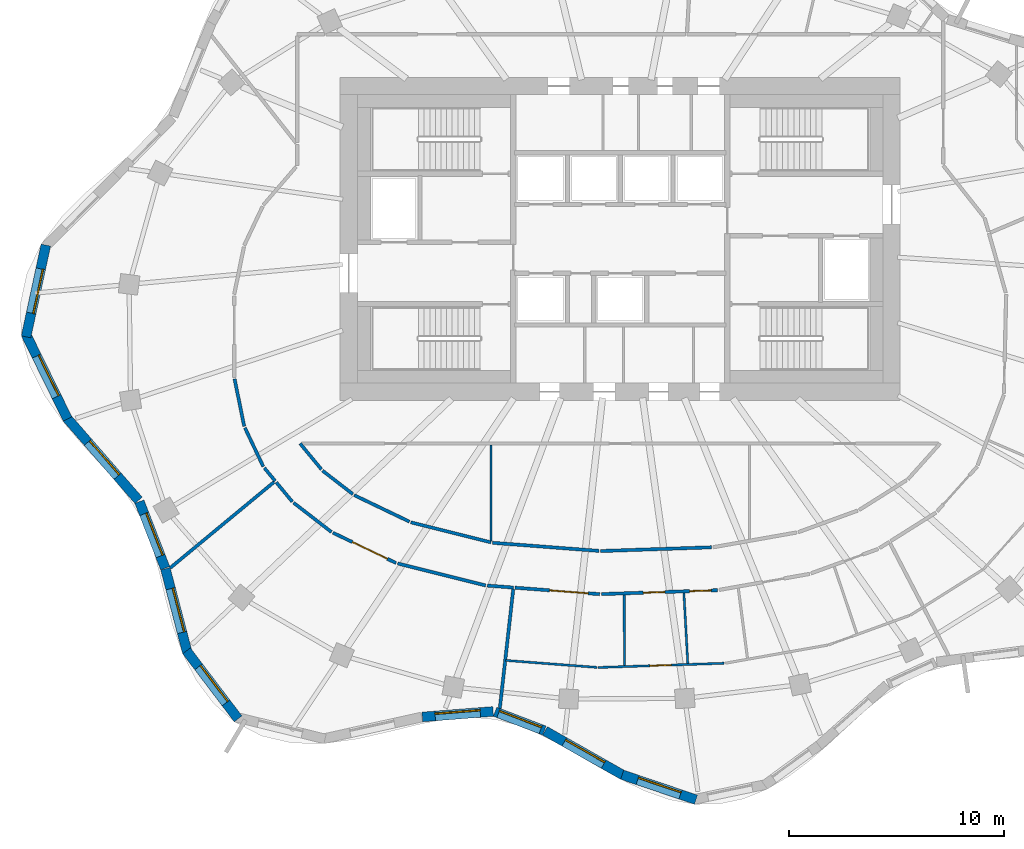
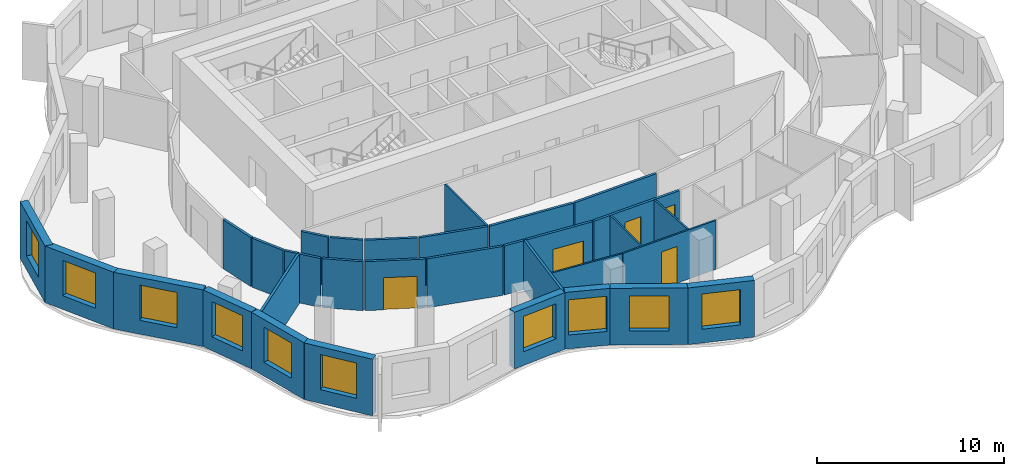
# One storey, part 3 of 9: 33 walls, 10 windows, 5 doors, 15 openings.
"""IFC4 building model written with IfcOpenShell, lengths in metres."""

from ifc_helpers import new_model, si_unit, direction, frame, frame_2d, origin, place, context, subcontext, project, spatial, rectangle, extrude, material, layer, layer_set, type_object, element, fill, save


model = new_model("IFC4")

# Units and contexts
model_context = context("Model", 3, precision=1e-05, world=origin(), true_north=direction((0.0, 1.0)))
body_context = subcontext(model_context, "Body", "Model", "MODEL_VIEW")
ifc_project = project(units=[si_unit("LENGTHUNIT", "METRE"), si_unit("AREAUNIT", "SQUARE_METRE"), si_unit("VOLUMEUNIT", "CUBIC_METRE"), si_unit("PLANEANGLEUNIT", "RADIAN"), si_unit("MASSUNIT", "GRAM", prefix="KILO")], contexts=[model_context])

# Site, building, storey
site_placement = place(None, origin())
site = spatial("IfcSite", under=ifc_project, at=site_placement, CompositionType="ELEMENT")
building_placement = place(site_placement, origin())
building = spatial("IfcBuilding", under=site, at=building_placement, Name="Rubra Terraces Tower", CompositionType="ELEMENT")
storey_placement = place(building_placement, frame((0.0, 0.0, 288.300048828125)))
storey = spatial("IfcBuildingStorey", under=building, at=storey_placement, Name="L71", CompositionType="ELEMENT", Elevation=288.300048828125)

# Wall, opening, window
ifc_material_1 = material(Name="Brick masonry red-brown", Category="masonry")
ifc_layer_1 = layer(ifc_material_1, 0.449951171875)
ifc_layer_set_1 = layer_set([ifc_layer_1], Name="Brick masonry red-brown")
wall_type_1 = type_object("IfcWallType", Name="Brick facade wall 450", PredefinedType="SOLIDWALL", material=ifc_layer_set_1)
wall_1_placement = place(storey_placement, frame((-26.668212890625, 4.21142578125, 0.0), z_axis=(0.0, 0.0, 1.0), x_axis=(-0.210910311825, -0.977505417052, 0.0)))
wall_1 = element("IfcWall", 1, at=wall_1_placement, inside=storey, type_object=wall_type_1, Name="Facade wall L71 bay 20", PredefinedType="SOLIDWALL", context=body_context, shape_type="SweptSolid", body=[
    extrude(rectangle(XDim=4.35693359375, YDim=0.449951171875, at=frame_2d((2.178466796875, 0.0))), origin(), (0.0, 0.0, 1.0), 3.699951171875),
])
opening_1_placement = place(wall_1_placement, frame((1.12841796875, 0.0, 0.89990234375)))
opening_1 = element("IfcOpeningElement", 2, at=opening_1_placement, cuts=wall_1, Name="Opening W1B", PredefinedType="OPENING", context=body_context, shape_type="SweptSolid", body=[
    extrude(rectangle(XDim=2.10009765625, YDim=2.300048828125, at=frame_2d((1.050048828125, 1.14990234375))), frame((0.0, 0.23486328125, 0.0), z_axis=(0.0, -1.0, 0.0), x_axis=(1.0, 0.0, 0.0)), (0.0, 0.0, 1.0), 0.469970703125),
])
ifc_material_2 = material(Name="Clear glass in aluminium frame", Category="aluminium")
window_type = type_object("IfcWindowType", Name="Fixed deep-set window tall storey 2100 x 2300", PartitioningType="SINGLE_PANEL", PredefinedType="WINDOW", material=ifc_material_2)
window_1_placement = place(opening_1_placement, origin())
window_1 = element("IfcWindow", 3, at=window_1_placement, inside=storey, type_object=window_type, Name="Window L71 bay 20", OverallHeight=2.300048828125, OverallWidth=2.10009765625, PartitioningType="SINGLE_PANEL", PredefinedType="WINDOW", context=body_context, shape_type="SweptSolid", body=[
    extrude(rectangle(XDim=2.10009765625, YDim=2.300048828125, at=frame_2d((1.050048828125, 1.14990234375))), frame((0.0, 0.135009765625, 0.0), z_axis=(0.0, -1.0, 0.0), x_axis=(1.0, 0.0, 0.0)), (0.0, 0.0, 1.0), 0.06005859375),
])
fill(opening_1, window_1)

wall_2_placement = place(storey_placement, frame((-27.60498046875, 0.09912109375, 0.0), z_axis=(0.0, 0.0, 1.0), x_axis=(0.440876526139, -0.897567762734, 0.0)))
wall_2 = element("IfcWall", 4, at=wall_2_placement, inside=storey, type_object=wall_type_1, Name="Facade wall L71 bay 21", PredefinedType="SOLIDWALL", context=body_context, shape_type="SweptSolid", body=[
    extrude(rectangle(XDim=4.4150390625, YDim=0.449951171875, at=frame_2d((2.20751953125, 0.0))), origin(), (0.0, 0.0, 1.0), 3.699951171875),
])
opening_2_placement = place(wall_2_placement, frame((1.15771484375, 0.0, 0.89990234375)))
opening_2 = element("IfcOpeningElement", 5, at=opening_2_placement, cuts=wall_2, Name="Opening W1B", PredefinedType="OPENING", context=body_context, shape_type="SweptSolid", body=[
    extrude(rectangle(XDim=2.10009765625, YDim=2.300048828125, at=frame_2d((1.050048828125, 1.14990234375))), frame((0.0, 0.23486328125, 0.0), z_axis=(0.0, -1.0, 0.0), x_axis=(1.0, 0.0, 0.0)), (0.0, 0.0, 1.0), 0.469970703125),
])
window_2_placement = place(opening_2_placement, origin())
window_2 = element("IfcWindow", 6, at=window_2_placement, inside=storey, type_object=window_type, Name="Window L71 bay 21", OverallHeight=2.300048828125, OverallWidth=2.10009765625, PartitioningType="SINGLE_PANEL", PredefinedType="WINDOW", context=body_context, shape_type="SweptSolid", body=[
    extrude(rectangle(XDim=2.10009765625, YDim=2.300048828125, at=frame_2d((1.050048828125, 1.14990234375))), frame((0.0, 0.135009765625, 0.0), z_axis=(0.0, -1.0, 0.0), x_axis=(1.0, 0.0, 0.0)), (0.0, 0.0, 1.0), 0.06005859375),
])
fill(opening_2, window_2)

wall_3_placement = place(storey_placement, frame((-25.690673828125, -3.815185546875, 0.0), z_axis=(0.0, 0.0, 1.0), x_axis=(0.656552883353, -0.754279995334, 0.0)))
wall_3 = element("IfcWall", 7, at=wall_3_placement, inside=storey, type_object=wall_type_1, Name="Facade wall L71 bay 22", PredefinedType="SOLIDWALL", context=body_context, shape_type="SweptSolid", body=[
    extrude(rectangle(XDim=5.0712890625, YDim=0.449951171875, at=frame_2d((2.53564453125, 0.0))), origin(), (0.0, 0.0, 1.0), 3.699951171875),
])
opening_3_placement = place(wall_3_placement, frame((1.485595703125, 0.0, 0.89990234375)))
opening_3 = element("IfcOpeningElement", 8, at=opening_3_placement, cuts=wall_3, Name="Opening W1B", PredefinedType="OPENING", context=body_context, shape_type="SweptSolid", body=[
    extrude(rectangle(XDim=2.10009765625, YDim=2.300048828125, at=frame_2d((1.050048828125, 1.14990234375))), frame((0.0, 0.23486328125, 0.0), z_axis=(0.0, -1.0, 0.0), x_axis=(1.0, 0.0, 0.0)), (0.0, 0.0, 1.0), 0.469970703125),
])
window_3_placement = place(opening_3_placement, origin())
window_3 = element("IfcWindow", 9, at=window_3_placement, inside=storey, type_object=window_type, Name="Window L71 bay 22", OverallHeight=2.300048828125, OverallWidth=2.10009765625, PartitioningType="SINGLE_PANEL", PredefinedType="WINDOW", context=body_context, shape_type="SweptSolid", body=[
    extrude(rectangle(XDim=2.10009765625, YDim=2.300048828125, at=frame_2d((1.050048828125, 1.14990234375))), frame((0.0, 0.135009765625, 0.0), z_axis=(0.0, -1.0, 0.0), x_axis=(1.0, 0.0, 0.0)), (0.0, 0.0, 1.0), 0.06005859375),
])
fill(opening_3, window_3)

wall_4_placement = place(storey_placement, frame((-22.323486328125, -7.70068359375, 0.0), z_axis=(0.0, 0.0, 1.0), x_axis=(0.361550075906, -0.932352692178, 0.0)))
wall_4 = element("IfcWall", 10, at=wall_4_placement, inside=storey, type_object=wall_type_1, Name="Facade wall L71 bay 23", PredefinedType="SOLIDWALL", context=body_context, shape_type="SweptSolid", body=[
    extrude(rectangle(XDim=3.3134765625, YDim=0.449951171875, at=frame_2d((1.65673828125, 0.0))), origin(), (0.0, 0.0, 1.0), 3.699951171875),
])
opening_4_placement = place(wall_4_placement, frame((0.606689453125, 0.0, 0.89990234375)))
opening_4 = element("IfcOpeningElement", 11, at=opening_4_placement, cuts=wall_4, Name="Opening W1B", PredefinedType="OPENING", context=body_context, shape_type="SweptSolid", body=[
    extrude(rectangle(XDim=2.10009765625, YDim=2.300048828125, at=frame_2d((1.050048828125, 1.14990234375))), frame((0.0, 0.23486328125, 0.0), z_axis=(0.0, -1.0, 0.0), x_axis=(1.0, 0.0, 0.0)), (0.0, 0.0, 1.0), 0.469970703125),
])
window_4_placement = place(opening_4_placement, origin())
window_4 = element("IfcWindow", 12, at=window_4_placement, inside=storey, type_object=window_type, Name="Window L71 bay 23", OverallHeight=2.300048828125, OverallWidth=2.10009765625, PartitioningType="SINGLE_PANEL", PredefinedType="WINDOW", context=body_context, shape_type="SweptSolid", body=[
    extrude(rectangle(XDim=2.10009765625, YDim=2.300048828125, at=frame_2d((1.050048828125, 1.14990234375))), frame((0.0, 0.135009765625, 0.0), z_axis=(0.0, -1.0, 0.0), x_axis=(1.0, 0.0, 0.0)), (0.0, 0.0, 1.0), 0.06005859375),
])
fill(opening_4, window_4)

wall_5_placement = place(storey_placement, frame((-21.11669921875, -10.8154296875, 0.0), z_axis=(0.0, 0.0, 1.0), x_axis=(0.253065392985, -0.967449175344, 0.0)))
wall_5 = element("IfcWall", 13, at=wall_5_placement, inside=storey, type_object=wall_type_1, Name="Facade wall L71 bay 24", PredefinedType="SOLIDWALL", context=body_context, shape_type="SweptSolid", body=[
    extrude(rectangle(XDim=4.01513671875, YDim=0.449951171875, at=frame_2d((2.007568359375, 0.0))), origin(), (0.0, 0.0, 1.0), 3.699951171875),
])
opening_5_placement = place(wall_5_placement, frame((0.95751953125, 0.0, 0.89990234375)))
opening_5 = element("IfcOpeningElement", 14, at=opening_5_placement, cuts=wall_5, Name="Opening W1B", PredefinedType="OPENING", context=body_context, shape_type="SweptSolid", body=[
    extrude(rectangle(XDim=2.10009765625, YDim=2.300048828125, at=frame_2d((1.050048828125, 1.14990234375))), frame((0.0, 0.23486328125, 0.0), z_axis=(0.0, -1.0, 0.0), x_axis=(1.0, 0.0, 0.0)), (0.0, 0.0, 1.0), 0.469970703125),
])
window_5_placement = place(opening_5_placement, origin())
window_5 = element("IfcWindow", 15, at=window_5_placement, inside=storey, type_object=window_type, Name="Window L71 bay 24", OverallHeight=2.300048828125, OverallWidth=2.10009765625, PartitioningType="SINGLE_PANEL", PredefinedType="WINDOW", context=body_context, shape_type="SweptSolid", body=[
    extrude(rectangle(XDim=2.10009765625, YDim=2.300048828125, at=frame_2d((1.050048828125, 1.14990234375))), frame((0.0, 0.135009765625, 0.0), z_axis=(0.0, -1.0, 0.0), x_axis=(1.0, 0.0, 0.0)), (0.0, 0.0, 1.0), 0.06005859375),
])
fill(opening_5, window_5)

wall_6_placement = place(storey_placement, frame((-20.1376953125, -14.6259765625, 0.0), z_axis=(0.0, 0.0, 1.0), x_axis=(0.604591324894, -0.796535830872, 0.0)))
wall_6 = element("IfcWall", 16, at=wall_6_placement, inside=storey, type_object=wall_type_1, Name="Facade wall L71 bay 25", PredefinedType="SOLIDWALL", context=body_context, shape_type="SweptSolid", body=[
    extrude(rectangle(XDim=3.964599609375, YDim=0.449951171875, at=frame_2d((1.982421875, 0.0))), origin(), (0.0, 0.0, 1.0), 3.699951171875),
])
opening_6_placement = place(wall_6_placement, frame((0.932373046875, 0.0, 0.89990234375)))
opening_6 = element("IfcOpeningElement", 17, at=opening_6_placement, cuts=wall_6, Name="Opening W1B", PredefinedType="OPENING", context=body_context, shape_type="SweptSolid", body=[
    extrude(rectangle(XDim=2.10009765625, YDim=2.300048828125, at=frame_2d((1.050048828125, 1.14990234375))), frame((0.0, 0.23486328125, 0.0), z_axis=(0.0, -1.0, 0.0), x_axis=(1.0, 0.0, 0.0)), (0.0, 0.0, 1.0), 0.469970703125),
])
window_6_placement = place(opening_6_placement, origin())
window_6 = element("IfcWindow", 18, at=window_6_placement, inside=storey, type_object=window_type, Name="Window L71 bay 25", OverallHeight=2.300048828125, OverallWidth=2.10009765625, PartitioningType="SINGLE_PANEL", PredefinedType="WINDOW", context=body_context, shape_type="SweptSolid", body=[
    extrude(rectangle(XDim=2.10009765625, YDim=2.300048828125, at=frame_2d((1.050048828125, 1.14990234375))), frame((0.0, 0.135009765625, 0.0), z_axis=(0.0, -1.0, 0.0), x_axis=(1.0, 0.0, 0.0)), (0.0, 0.0, 1.0), 0.06005859375),
])
fill(opening_6, window_6)

wall_7_placement = place(storey_placement, frame((-9.188232421875, -17.69677734375, 0.0), z_axis=(0.0, 0.0, 1.0), x_axis=(0.996964028691, 0.077863505548, 0.0)))
wall_7 = element("IfcWall", 19, at=wall_7_placement, inside=storey, type_object=wall_type_1, Name="Facade wall L71 bay 28", PredefinedType="SOLIDWALL", context=body_context, shape_type="SweptSolid", body=[
    extrude(rectangle(XDim=3.29541015625, YDim=0.449951171875, at=frame_2d((1.647705078125, 0.0))), origin(), (0.0, 0.0, 1.0), 3.699951171875),
])
opening_7_placement = place(wall_7_placement, frame((0.59765625, 0.0, 0.89990234375)))
opening_7 = element("IfcOpeningElement", 20, at=opening_7_placement, cuts=wall_7, Name="Opening W1B", PredefinedType="OPENING", context=body_context, shape_type="SweptSolid", body=[
    extrude(rectangle(XDim=2.10009765625, YDim=2.300048828125, at=frame_2d((1.050048828125, 1.14990234375))), frame((0.0, 0.23486328125, 0.0), z_axis=(0.0, -1.0, 0.0), x_axis=(1.0, 0.0, 0.0)), (0.0, 0.0, 1.0), 0.469970703125),
])
window_7_placement = place(opening_7_placement, origin())
window_7 = element("IfcWindow", 21, at=window_7_placement, inside=storey, type_object=window_type, Name="Window L71 bay 28", OverallHeight=2.300048828125, OverallWidth=2.10009765625, PartitioningType="SINGLE_PANEL", PredefinedType="WINDOW", context=body_context, shape_type="SweptSolid", body=[
    extrude(rectangle(XDim=2.10009765625, YDim=2.300048828125, at=frame_2d((1.050048828125, 1.14990234375))), frame((0.0, 0.135009765625, 0.0), z_axis=(0.0, -1.0, 0.0), x_axis=(1.0, 0.0, 0.0)), (0.0, 0.0, 1.0), 0.06005859375),
])
fill(opening_7, window_7)

wall_8_placement = place(storey_placement, frame((-5.810546875, -17.45458984375, 0.0), z_axis=(0.0, 0.0, 1.0), x_axis=(0.934122271306, -0.35695319336, 0.0)))
wall_8 = element("IfcWall", 22, at=wall_8_placement, inside=storey, type_object=wall_type_1, Name="Facade wall L71 bay 29", PredefinedType="SOLIDWALL", context=body_context, shape_type="SweptSolid", body=[
    extrude(rectangle(XDim=2.447998046875, YDim=0.449951171875, at=frame_2d((1.22412109375, 0.0))), origin(), (0.0, 0.0, 1.0), 3.699951171875),
])
opening_8_placement = place(wall_8_placement, frame((0.174072265625, 0.0, 0.89990234375)))
opening_8 = element("IfcOpeningElement", 23, at=opening_8_placement, cuts=wall_8, Name="Opening W1B", PredefinedType="OPENING", context=body_context, shape_type="SweptSolid", body=[
    extrude(rectangle(XDim=2.10009765625, YDim=2.300048828125, at=frame_2d((1.050048828125, 1.14990234375))), frame((0.0, 0.23486328125, 0.0), z_axis=(0.0, -1.0, 0.0), x_axis=(1.0, 0.0, 0.0)), (0.0, 0.0, 1.0), 0.469970703125),
])
window_8_placement = place(opening_8_placement, origin())
window_8 = element("IfcWindow", 24, at=window_8_placement, inside=storey, type_object=window_type, Name="Window L71 bay 29", OverallHeight=2.300048828125, OverallWidth=2.10009765625, PartitioningType="SINGLE_PANEL", PredefinedType="WINDOW", context=body_context, shape_type="SweptSolid", body=[
    extrude(rectangle(XDim=2.10009765625, YDim=2.300048828125, at=frame_2d((1.050048828125, 1.14990234375))), frame((0.0, 0.135009765625, 0.0), z_axis=(0.0, -1.0, 0.0), x_axis=(1.0, 0.0, 0.0)), (0.0, 0.0, 1.0), 0.06005859375),
])
fill(opening_8, window_8)

wall_9_placement = place(storey_placement, frame((-3.4931640625, -18.3427734375, 0.0), z_axis=(0.0, 0.0, 1.0), x_axis=(0.869825988853, -0.493358641473, 0.0)))
wall_9 = element("IfcWall", 25, at=wall_9_placement, inside=storey, type_object=wall_type_1, Name="Facade wall L71 bay 30", PredefinedType="SOLIDWALL", context=body_context, shape_type="SweptSolid", body=[
    extrude(rectangle(XDim=4.164794921875, YDim=0.449951171875, at=frame_2d((2.08251953125, 0.0))), origin(), (0.0, 0.0, 1.0), 3.699951171875),
])
opening_9_placement = place(wall_9_placement, frame((1.032470703125, 0.0, 0.89990234375)))
opening_9 = element("IfcOpeningElement", 26, at=opening_9_placement, cuts=wall_9, Name="Opening W1B", PredefinedType="OPENING", context=body_context, shape_type="SweptSolid", body=[
    extrude(rectangle(XDim=2.10009765625, YDim=2.300048828125, at=frame_2d((1.050048828125, 1.14990234375))), frame((0.0, 0.23486328125, 0.0), z_axis=(0.0, -1.0, 0.0), x_axis=(1.0, 0.0, 0.0)), (0.0, 0.0, 1.0), 0.469970703125),
])
window_9_placement = place(opening_9_placement, origin())
window_9 = element("IfcWindow", 27, at=window_9_placement, inside=storey, type_object=window_type, Name="Window L71 bay 30", OverallHeight=2.300048828125, OverallWidth=2.10009765625, PartitioningType="SINGLE_PANEL", PredefinedType="WINDOW", context=body_context, shape_type="SweptSolid", body=[
    extrude(rectangle(XDim=2.10009765625, YDim=2.300048828125, at=frame_2d((1.050048828125, 1.14990234375))), frame((0.0, 0.135009765625, 0.0), z_axis=(0.0, -1.0, 0.0), x_axis=(1.0, 0.0, 0.0)), (0.0, 0.0, 1.0), 0.06005859375),
])
fill(opening_9, window_9)

wall_10_placement = place(storey_placement, frame((0.090576171875, -20.380126953125, 0.0), z_axis=(0.0, 0.0, 1.0), x_axis=(0.947304227221, -0.320335294791, 0.0)))
wall_10 = element("IfcWall", 28, at=wall_10_placement, inside=storey, type_object=wall_type_1, Name="Facade wall L71 bay 31", PredefinedType="SOLIDWALL", context=body_context, shape_type="SweptSolid", body=[
    extrude(rectangle(XDim=3.6171875, YDim=0.449951171875, at=frame_2d((1.80859375, 0.0))), origin(), (0.0, 0.0, 1.0), 3.699951171875),
])
opening_10_placement = place(wall_10_placement, frame((0.758544921875, 0.0, 0.89990234375)))
opening_10 = element("IfcOpeningElement", 29, at=opening_10_placement, cuts=wall_10, Name="Opening W1B", PredefinedType="OPENING", context=body_context, shape_type="SweptSolid", body=[
    extrude(rectangle(XDim=2.10009765625, YDim=2.300048828125, at=frame_2d((1.050048828125, 1.14990234375))), frame((0.0, 0.23486328125, 0.0), z_axis=(0.0, -1.0, 0.0), x_axis=(1.0, 0.0, 0.0)), (0.0, 0.0, 1.0), 0.469970703125),
])
window_10_placement = place(opening_10_placement, origin())
window_10 = element("IfcWindow", 30, at=window_10_placement, inside=storey, type_object=window_type, Name="Window L71 bay 31", OverallHeight=2.300048828125, OverallWidth=2.10009765625, PartitioningType="SINGLE_PANEL", PredefinedType="WINDOW", context=body_context, shape_type="SweptSolid", body=[
    extrude(rectangle(XDim=2.10009765625, YDim=2.300048828125, at=frame_2d((1.050048828125, 1.14990234375))), frame((0.0, 0.135009765625, 0.0), z_axis=(0.0, -1.0, 0.0), x_axis=(1.0, 0.0, 0.0)), (0.0, 0.0, 1.0), 0.06005859375),
])
fill(opening_10, window_10)

# Walls
ifc_material_3 = material(Name="Plasterboard on steel stud, mineral wool infill", Category="steel")
ifc_layer_2 = layer(ifc_material_3, 0.14990234375)
ifc_layer_set_2 = layer_set([ifc_layer_2], Name="Plasterboard on steel stud, mineral wool infill")
wall_type_2 = type_object("IfcWallType", Name="CORRIDOR PARTITION 150", PredefinedType="PARTITIONING", material=ifc_layer_set_2)
wall_11_placement = place(storey_placement, frame((-17.905517578125, -2.0009765625, 0.0), z_axis=(0.0, 0.0, 1.0), x_axis=(0.199502025364, -0.979897413955, 0.0)))
element("IfcWall", 31, at=wall_11_placement, inside=storey, type_object=wall_type_2, Name="PARTITION", PredefinedType="PARTITIONING", context=body_context, shape_type="SweptSolid", body=[
    extrude(rectangle(XDim=2.24560546875, YDim=0.14990234375, at=frame_2d((1.122802734375, 0.0))), origin(), (0.0, 0.0, 1.0), 3.197998046875),
])
wall_12_placement = place(storey_placement, frame((-17.42529296875, -4.269287109375, 0.0), z_axis=(0.0, 0.0, 1.0), x_axis=(0.427886578366, -0.90383243804, 0.0)))
element("IfcWall", 32, at=wall_12_placement, inside=storey, type_object=wall_type_2, Name="PARTITION", PredefinedType="PARTITIONING", context=body_context, shape_type="SweptSolid", body=[
    extrude(rectangle(XDim=1.996337890625, YDim=0.14990234375, at=frame_2d((0.998046875, 0.0))), origin(), (0.0, 0.0, 1.0), 3.197998046875),
])
wall_13_placement = place(storey_placement, frame((-16.523193359375, -6.131591796875, 0.0), z_axis=(0.0, 0.0, 1.0), x_axis=(0.636698606768, -0.771112757085, 0.0)))
element("IfcWall", 33, at=wall_13_placement, inside=storey, type_object=wall_type_2, Name="PARTITION", PredefinedType="PARTITIONING", context=body_context, shape_type="SweptSolid", body=[
    extrude(rectangle(XDim=0.793701171875, YDim=0.14990234375, at=frame_2d((0.39697265625, 0.0))), origin(), (0.0, 0.0, 1.0), 3.197998046875),
])
wall_14_placement = place(storey_placement, frame((-15.97021484375, -6.801513671875, 0.0), z_axis=(0.0, 0.0, 1.0), x_axis=(0.636897609689, -0.770948399552, 0.0)))
element("IfcWall", 34, at=wall_14_placement, inside=storey, type_object=wall_type_2, Name="PARTITION", PredefinedType="PARTITIONING", context=body_context, shape_type="SweptSolid", body=[
    extrude(rectangle(XDim=1.171142578125, YDim=0.14990234375, at=frame_2d((0.58544921875, 0.0))), origin(), (0.0, 0.0, 1.0), 3.197998046875),
])
wall_15_placement = place(storey_placement, frame((-15.1650390625, -7.750244140625, 0.0), z_axis=(0.0, 0.0, 1.0), x_axis=(0.790917548929, -0.611922732701, 0.0)))
element("IfcWall", 35, at=wall_15_placement, inside=storey, type_object=wall_type_2, Name="PARTITION", PredefinedType="PARTITIONING", context=body_context, shape_type="SweptSolid", body=[
    extrude(rectangle(XDim=2.221923828125, YDim=0.14990234375, at=frame_2d((1.11083984375, 0.0))), origin(), (0.0, 0.0, 1.0), 3.197998046875),
])

# Wall, opening, door
wall_16_placement = place(storey_placement, frame((-13.340087890625, -9.142333984375, 0.0), z_axis=(0.0, 0.0, 1.0), x_axis=(0.901599124721, -0.432572558425, 0.0)))
wall_16 = element("IfcWall", 36, at=wall_16_placement, inside=storey, type_object=wall_type_2, Name="PARTITION", PredefinedType="PARTITIONING", context=body_context, shape_type="SweptSolid", body=[
    extrude(rectangle(XDim=3.2548828125, YDim=0.14990234375, at=frame_2d((1.62744140625, 0.0))), origin(), (0.0, 0.0, 1.0), 3.197998046875),
])
opening_11_placement = place(wall_16_placement, frame((1.0, 0.0, 0.0)))
opening_11 = element("IfcOpeningElement", 37, at=opening_11_placement, cuts=wall_16, Name="Opening 71-102", PredefinedType="OPENING", context=body_context, shape_type="SweptSolid", body=[
    extrude(rectangle(XDim=1.800048828125, YDim=2.10009765625, at=frame_2d((0.89990234375, 1.050048828125))), frame((0.0, 0.0849609375, 0.0), z_axis=(0.0, -1.0, 0.0), x_axis=(1.0, 0.0, 0.0)), (0.0, 0.0, 1.0), 0.169921875),
])
ifc_material_4 = material(Name="Painted timber door leaf, double", Category="wood")
door_type_1 = type_object("IfcDoorType", Name="ROOM DOUBLE DOOR 1800 X 2100", OperationType="DOUBLE_DOOR_SINGLE_SWING", PredefinedType="DOOR", material=ifc_material_4)
door_1_placement = place(opening_11_placement, origin())
door_1 = element("IfcDoor", 38, at=door_1_placement, inside=storey, type_object=door_type_1, Name="DOOR 71-102", OperationType="DOUBLE_DOOR_SINGLE_SWING", OverallHeight=2.10009765625, OverallWidth=1.800048828125, PredefinedType="DOOR", context=body_context, shape_type="SweptSolid", body=[
    extrude(rectangle(XDim=1.800048828125, YDim=2.10009765625, at=frame_2d((0.89990234375, 1.050048828125))), frame((0.0, 0.02490234375, 0.0), z_axis=(0.0, -1.0, 0.0), x_axis=(1.0, 0.0, 0.0)), (0.0, 0.0, 1.0), 0.050048828125),
])
fill(opening_11, door_1)

# Walls
wall_17_placement = place(storey_placement, frame((-10.332763671875, -10.568603515625, 0.0), z_axis=(0.0, 0.0, 1.0), x_axis=(0.970067398009, -0.242835836151, 0.0)))
element("IfcWall", 39, at=wall_17_placement, inside=storey, type_object=wall_type_2, Name="PARTITION", PredefinedType="PARTITIONING", context=body_context, shape_type="SweptSolid", body=[
    extrude(rectangle(XDim=4.20947265625, YDim=0.14990234375, at=frame_2d((2.104736328125, 0.0))), origin(), (0.0, 0.0, 1.0), 3.197998046875),
])
wall_18_placement = place(storey_placement, frame((-6.174560546875, -11.596435546875, 0.0), z_axis=(0.0, 0.0, 1.0), x_axis=(0.997106038867, -0.076023333621, 0.0)))
element("IfcWall", 40, at=wall_18_placement, inside=storey, type_object=wall_type_2, Name="PARTITION", PredefinedType="PARTITIONING", context=body_context, shape_type="SweptSolid", body=[
    extrude(rectangle(XDim=1.22021484375, YDim=0.14990234375, at=frame_2d((0.610107421875, 0.0))), origin(), (0.0, 0.0, 1.0), 3.197998046875),
])

# Wall, opening, door
wall_19_placement = place(storey_placement, frame((-4.8828125, -11.695068359375, 0.0), z_axis=(0.0, 0.0, 1.0), x_axis=(0.997096936577, -0.076142623207, 0.0)))
wall_19 = element("IfcWall", 41, at=wall_19_placement, inside=storey, type_object=wall_type_2, Name="PARTITION", PredefinedType="PARTITIONING", context=body_context, shape_type="SweptSolid", body=[
    extrude(rectangle(XDim=3.94384765625, YDim=0.14990234375, at=frame_2d((1.971923828125, 0.0))), origin(), (0.0, 0.0, 1.0), 3.197998046875),
])
opening_12_placement = place(wall_19_placement, frame((1.60400390625, 0.0, 0.0)))
opening_12 = element("IfcOpeningElement", 42, at=opening_12_placement, cuts=wall_19, Name="Opening 71-103", PredefinedType="OPENING", context=body_context, shape_type="SweptSolid", body=[
    extrude(rectangle(XDim=1.800048828125, YDim=2.10009765625, at=frame_2d((0.89990234375, 1.050048828125))), frame((0.0, 0.0849609375, 0.0), z_axis=(0.0, -1.0, 0.0), x_axis=(1.0, 0.0, 0.0)), (0.0, 0.0, 1.0), 0.169921875),
])
door_2_placement = place(opening_12_placement, origin())
door_2 = element("IfcDoor", 43, at=door_2_placement, inside=storey, type_object=door_type_1, Name="DOOR 71-103", OperationType="DOUBLE_DOOR_SINGLE_SWING", OverallHeight=2.10009765625, OverallWidth=1.800048828125, PredefinedType="DOOR", context=body_context, shape_type="SweptSolid", body=[
    extrude(rectangle(XDim=1.800048828125, YDim=2.10009765625, at=frame_2d((0.89990234375, 1.050048828125))), frame((0.0, 0.02490234375, 0.0), z_axis=(0.0, -1.0, 0.0), x_axis=(1.0, 0.0, 0.0)), (0.0, 0.0, 1.0), 0.050048828125),
])
fill(opening_12, door_2)

# Wall, openings, doors
wall_20_placement = place(storey_placement, frame((-0.87548828125, -11.992919921875, 0.0), z_axis=(0.0, 0.0, 1.0), x_axis=(0.999436745295, 0.033558786542, 0.0)))
wall_20 = element("IfcWall", 44, at=wall_20_placement, inside=storey, type_object=wall_type_2, Name="PARTITION", PredefinedType="PARTITIONING", context=body_context, shape_type="SweptSolid", body=[
    extrude(rectangle(XDim=5.39794921875, YDim=0.14990234375, at=frame_2d((2.698974609375, 0.0))), origin(), (0.0, 0.0, 1.0), 3.197998046875),
])
opening_13_placement = place(wall_20_placement, frame((1.947021484375, 0.0, 0.0)))
opening_13 = element("IfcOpeningElement", 45, at=opening_13_placement, cuts=wall_20, Name="Opening 71-104", PredefinedType="OPENING", context=body_context, shape_type="SweptSolid", body=[
    extrude(rectangle(XDim=1.0, YDim=2.39990234375, at=frame_2d((0.5, 1.199951171875))), frame((0.0, 0.0849609375, 0.0), z_axis=(0.0, -1.0, 0.0), x_axis=(1.0, 0.0, 0.0)), (0.0, 0.0, 1.0), 0.169921875),
])
opening_14_placement = place(wall_20_placement, frame((4.097900390625, 0.0, 0.0)))
opening_14 = element("IfcOpeningElement", 46, at=opening_14_placement, cuts=wall_20, Name="Opening 71-105", PredefinedType="OPENING", context=body_context, shape_type="SweptSolid", body=[
    extrude(rectangle(XDim=1.0, YDim=2.39990234375, at=frame_2d((0.5, 1.199951171875))), frame((0.0, 0.0849609375, 0.0), z_axis=(0.0, -1.0, 0.0), x_axis=(1.0, 0.0, 0.0)), (0.0, 0.0, 1.0), 0.169921875),
])
ifc_material_5 = material(Name="Glazed aluminium meeting door leaf", Category="aluminium")
door_type_2 = type_object("IfcDoorType", Name="MEETING ROOM GLAZED DOOR 1000 X 2400", OperationType="SINGLE_SWING_LEFT", PredefinedType="DOOR", material=ifc_material_5)
door_3_placement = place(opening_13_placement, origin())
door_3 = element("IfcDoor", 47, at=door_3_placement, inside=storey, type_object=door_type_2, Name="DOOR 71-104", OperationType="SINGLE_SWING_RIGHT", OverallHeight=2.39990234375, OverallWidth=1.0, PredefinedType="DOOR", context=body_context, shape_type="SweptSolid", body=[
    extrude(rectangle(XDim=1.0, YDim=2.39990234375, at=frame_2d((0.5, 1.199951171875))), frame((0.0, 0.02490234375, 0.0), z_axis=(0.0, -1.0, 0.0), x_axis=(1.0, 0.0, 0.0)), (0.0, 0.0, 1.0), 0.050048828125),
])
fill(opening_13, door_3)
door_4_placement = place(opening_14_placement, origin())
door_4 = element("IfcDoor", 48, at=door_4_placement, inside=storey, type_object=door_type_2, Name="DOOR 71-105", OperationType="SINGLE_SWING_RIGHT", OverallHeight=2.39990234375, OverallWidth=1.0, PredefinedType="DOOR", context=body_context, shape_type="SweptSolid", body=[
    extrude(rectangle(XDim=1.0, YDim=2.39990234375, at=frame_2d((0.5, 1.199951171875))), frame((0.0, 0.02490234375, 0.0), z_axis=(0.0, -1.0, 0.0), x_axis=(1.0, 0.0, 0.0)), (0.0, 0.0, 1.0), 0.050048828125),
])
fill(opening_14, door_4)

# Walls
wall_21_placement = place(storey_placement, frame((4.235595703125, -9.820068359375, 0.0), z_axis=(0.0, 0.0, 1.0), x_axis=(-0.999435760561, -0.033588100749, 0.0)))
element("IfcWall", 49, at=wall_21_placement, inside=storey, type_object=wall_type_2, Name="PARTITION", PredefinedType="PARTITIONING", context=body_context, shape_type="SweptSolid", body=[
    extrude(rectangle(XDim=5.146240234375, YDim=0.14990234375, at=frame_2d((2.5732421875, 0.0))), origin(), (0.0, 0.0, 1.0), 3.197998046875),
])
wall_22_placement = place(storey_placement, frame((-0.982421875, -9.987060546875, 0.0), z_axis=(0.0, 0.0, 1.0), x_axis=(-0.997096607341, 0.07614693447, 0.0)))
element("IfcWall", 50, at=wall_22_placement, inside=storey, type_object=wall_type_2, Name="PARTITION", PredefinedType="PARTITIONING", context=body_context, shape_type="SweptSolid", body=[
    extrude(rectangle(XDim=4.9599609375, YDim=0.14990234375, at=frame_2d((2.47998046875, 0.0))), origin(), (0.0, 0.0, 1.0), 3.197998046875),
])
wall_23_placement = place(storey_placement, frame((-6.000732421875, -9.59130859375, 0.0), z_axis=(0.0, 0.0, 1.0), x_axis=(-0.970063855769, 0.242849986061, 0.0)))
element("IfcWall", 51, at=wall_23_placement, inside=storey, type_object=wall_type_2, Name="PARTITION", PredefinedType="PARTITIONING", context=body_context, shape_type="SweptSolid", body=[
    extrude(rectangle(XDim=3.83740234375, YDim=0.14990234375, at=frame_2d((1.918701171875, 0.0))), origin(), (0.0, 0.0, 1.0), 3.197998046875),
])
wall_24_placement = place(storey_placement, frame((-9.790771484375, -8.626953125, 0.0), z_axis=(0.0, 0.0, 1.0), x_axis=(-0.901598165215, 0.432574558292, 0.0)))
element("IfcWall", 52, at=wall_24_placement, inside=storey, type_object=wall_type_2, Name="PARTITION", PredefinedType="PARTITIONING", context=body_context, shape_type="SweptSolid", body=[
    extrude(rectangle(XDim=2.840087890625, YDim=0.14990234375, at=frame_2d((1.419921875, 0.0))), origin(), (0.0, 0.0, 1.0), 3.197998046875),
])
wall_25_placement = place(storey_placement, frame((-12.41064453125, -7.3525390625, 0.0), z_axis=(0.0, 0.0, 1.0), x_axis=(-0.790894311556, 0.611952766109, 0.0)))
element("IfcWall", 53, at=wall_25_placement, inside=storey, type_object=wall_type_2, Name="PARTITION", PredefinedType="PARTITIONING", context=body_context, shape_type="SweptSolid", body=[
    extrude(rectangle(XDim=1.787353515625, YDim=0.14990234375, at=frame_2d((0.8935546875, 0.0))), origin(), (0.0, 0.0, 1.0), 3.197998046875),
])
wall_26_placement = place(storey_placement, frame((-13.8720703125, -6.200927734375, 0.0), z_axis=(0.0, 0.0, 1.0), x_axis=(-0.636832838855, 0.771001903601, 0.0)))
element("IfcWall", 54, at=wall_26_placement, inside=storey, type_object=wall_type_2, Name="PARTITION", PredefinedType="PARTITIONING", context=body_context, shape_type="SweptSolid", body=[
    extrude(rectangle(XDim=1.5576171875, YDim=0.14990234375, at=frame_2d((0.77880859375, 0.0))), origin(), (0.0, 0.0, 1.0), 3.197998046875),
])

# Wall, opening, door
ifc_material_6 = material(Name="Plasterboard on steel stud", Category="steel")
ifc_layer_3 = layer(ifc_material_6, 0.10009765625)
ifc_layer_set_3 = layer_set([ifc_layer_3], Name="Plasterboard on steel stud")
wall_type_3 = type_object("IfcWallType", Name="ROOM PARTITION 100", PredefinedType="PARTITIONING", material=ifc_layer_set_3)
wall_27_placement = place(storey_placement, frame((4.82470703125, -15.203369140625, 0.0), z_axis=(0.0, 0.0, 1.0), x_axis=(-0.999435699456, -0.033589918924, 0.0)))
wall_27 = element("IfcWall", 55, at=wall_27_placement, inside=storey, type_object=wall_type_3, Name="PARTITION", PredefinedType="PARTITIONING", context=body_context, shape_type="SweptSolid", body=[
    extrude(rectangle(XDim=5.85107421875, YDim=0.10009765625, at=frame_2d((2.925537109375, 0.0))), origin(), (0.0, 0.0, 1.0), 3.197998046875),
])
opening_15_placement = place(wall_27_placement, frame((2.449951171875, 0.0, 0.0)))
opening_15 = element("IfcOpeningElement", 56, at=opening_15_placement, cuts=wall_27, Name="Opening 71-116", PredefinedType="OPENING", context=body_context, shape_type="SweptSolid", body=[
    extrude(rectangle(XDim=1.0, YDim=2.39990234375, at=frame_2d((0.5, 1.199951171875))), frame((0.0, 0.06005859375, 0.0), z_axis=(0.0, -1.0, 0.0), x_axis=(1.0, 0.0, 0.0)), (0.0, 0.0, 1.0), 0.1201171875),
])
door_5_placement = place(opening_15_placement, origin())
door_5 = element("IfcDoor", 57, at=door_5_placement, inside=storey, type_object=door_type_2, Name="DOOR 71-116", OperationType="SINGLE_SWING_LEFT", OverallHeight=2.39990234375, OverallWidth=1.0, PredefinedType="DOOR", context=body_context, shape_type="SweptSolid", body=[
    extrude(rectangle(XDim=1.0, YDim=2.39990234375, at=frame_2d((0.5, 1.199951171875))), frame((0.0, 0.02490234375, 0.0), z_axis=(0.0, -1.0, 0.0), x_axis=(1.0, 0.0, 0.0)), (0.0, 0.0, 1.0), 0.050048828125),
])
fill(opening_15, door_5)

# Walls
wall_28_placement = place(storey_placement, frame((-1.072998046875, -15.39599609375, 0.0), z_axis=(0.0, 0.0, 1.0), x_axis=(-0.997093140471, 0.076192317369, 0.0)))
element("IfcWall", 58, at=wall_28_placement, inside=storey, type_object=wall_type_3, Name="PARTITION", PredefinedType="PARTITIONING", context=body_context, shape_type="SweptSolid", body=[
    extrude(rectangle(XDim=4.258544921875, YDim=0.10009765625, at=frame_2d((2.12939453125, 0.0))), origin(), (0.0, 0.0, 1.0), 3.197998046875),
])
wall_29_placement = place(storey_placement, frame((0.1875, -12.0322265625, 0.0), z_axis=(0.0, 0.0, 1.0), x_axis=(0.001937258864, -0.999998123512, 0.0)))
element("IfcWall", 59, at=wall_29_placement, inside=storey, type_object=wall_type_3, Name="PARTITION", PredefinedType="PARTITIONING", context=body_context, shape_type="SweptSolid", body=[
    extrude(rectangle(XDim=3.276611328125, YDim=0.10009765625, at=frame_2d((1.63818359375, 0.0))), origin(), (0.0, 0.0, 1.0), 3.197998046875),
])
wall_30_placement = place(storey_placement, frame((2.956298828125, -11.939208984375, 0.0), z_axis=(0.0, 0.0, 1.0), x_axis=(0.055226477976, -0.998473853504, 0.0)))
element("IfcWall", 60, at=wall_30_placement, inside=storey, type_object=wall_type_3, Name="PARTITION", PredefinedType="PARTITIONING", context=body_context, shape_type="SweptSolid", body=[
    extrude(rectangle(XDim=3.275634765625, YDim=0.10009765625, at=frame_2d((1.6376953125, 0.0))), origin(), (0.0, 0.0, 1.0), 3.197998046875),
])
wall_31_placement = place(storey_placement, frame((-6.0, -9.516357421875, 0.0), z_axis=(0.0, 0.0, 1.0), x_axis=(0.0, 1.0, 0.0)))
element("IfcWall", 61, at=wall_31_placement, inside=storey, type_object=wall_type_3, Name="PARTITION", PredefinedType="PARTITIONING", context=body_context, shape_type="SweptSolid", body=[
    extrude(rectangle(XDim=4.44140625, YDim=0.10009765625, at=frame_2d((2.220703125, 0.0))), origin(), (0.0, 0.0, 1.0), 3.197998046875),
])
ifc_layer_4 = layer(ifc_material_6, 0.14990234375)
ifc_layer_set_4 = layer_set([ifc_layer_4], Name="Plasterboard on steel stud")
wall_type_4 = type_object("IfcWallType", Name="ROOM PARTITION 150", PredefinedType="PARTITIONING", material=ifc_layer_set_4)
wall_32_placement = place(storey_placement, frame((-20.894287109375, -10.776611328125, 0.0), z_axis=(0.0, 0.0, 1.0), x_axis=(0.770606553, 0.637311180251, 0.0)))
element("IfcWall", 62, at=wall_32_placement, inside=storey, type_object=wall_type_4, Name="PARTITION", PredefinedType="PARTITIONING", context=body_context, shape_type="SweptSolid", body=[
    extrude(rectangle(XDim=6.2529296875, YDim=0.14990234375, at=frame_2d((3.12646484375, 0.0))), origin(), (0.0, 0.0, 1.0), 3.23388671875),
])
wall_33_placement = place(storey_placement, frame((-5.589599609375, -17.2939453125, 0.0), z_axis=(0.0, 0.0, 1.0), x_axis=(0.112044411854, 0.993703200041, 0.0)))
element("IfcWall", 63, at=wall_33_placement, inside=storey, type_object=wall_type_4, Name="PARTITION", PredefinedType="PARTITIONING", context=body_context, shape_type="SweptSolid", body=[
    extrude(rectangle(XDim=5.565185546875, YDim=0.14990234375, at=frame_2d((2.78271484375, 0.0))), origin(), (0.0, 0.0, 1.0), 3.23388671875),
])

save(model, "model.ifc")
